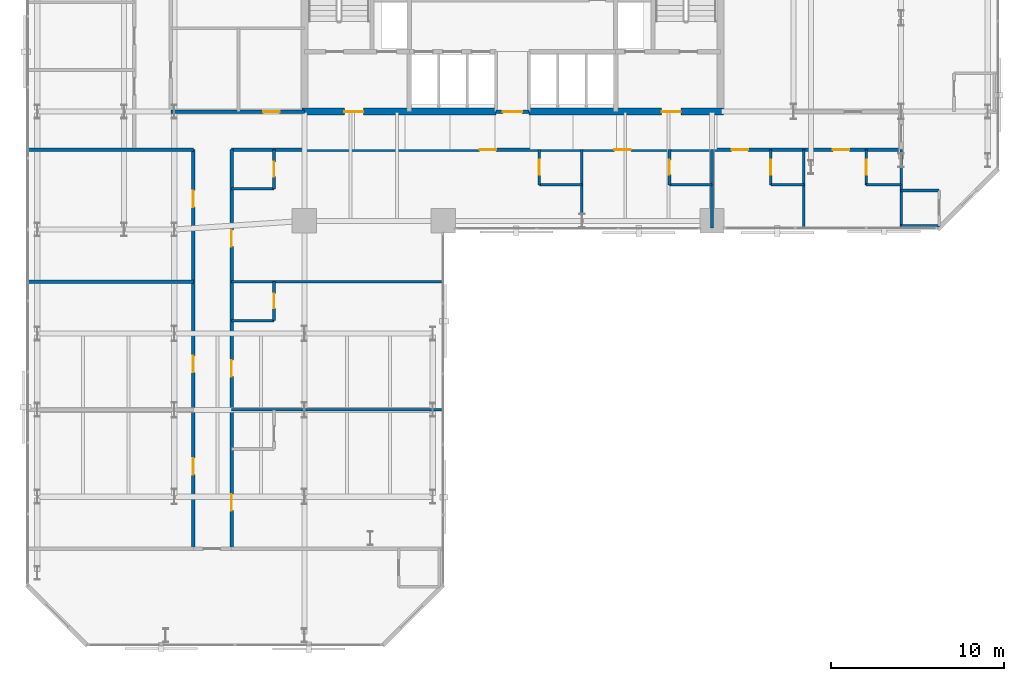
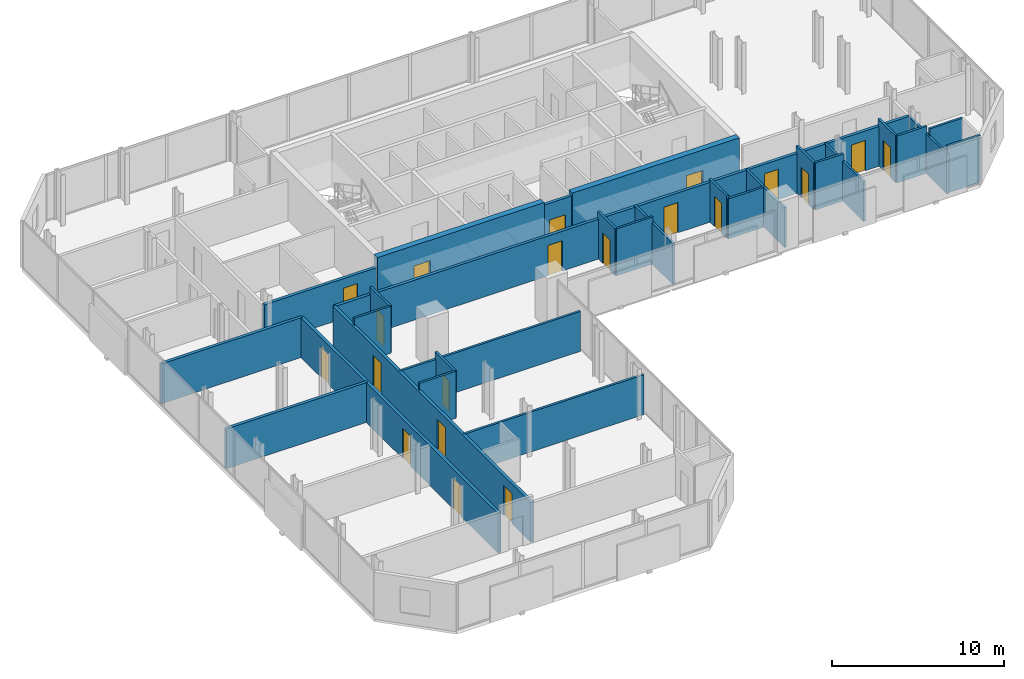
# One storey, part 28 of 32: 29 walls, 20 doors, 20 openings.
"""IFC4 building model written with IfcOpenShell, lengths in metres."""

from ifc_helpers import new_model, si_unit, direction, frame, frame_2d, origin, place, context, subcontext, project, spatial, rectangle, extrude, material, layer, layer_set, type_object, element, fill, save


model = new_model("IFC4")

# Units and contexts
model_context = context("Model", 3, precision=1e-05, world=origin(), true_north=direction((0.0, 1.0)))
body_context = subcontext(model_context, "Body", "Model", "MODEL_VIEW")
ifc_project = project(units=[si_unit("LENGTHUNIT", "METRE"), si_unit("AREAUNIT", "SQUARE_METRE"), si_unit("VOLUMEUNIT", "CUBIC_METRE"), si_unit("PLANEANGLEUNIT", "RADIAN"), si_unit("MASSUNIT", "GRAM", prefix="KILO")], contexts=[model_context])

# Site, building, storey
site_placement = place(None, origin())
site = spatial("IfcSite", under=ifc_project, at=site_placement, CompositionType="ELEMENT")
building_placement = place(site_placement, origin())
building = spatial("IfcBuilding", under=site, at=building_placement, Name="Catumbela Crestline Tower", CompositionType="ELEMENT")
storey_placement = place(building_placement, frame((0.0, 0.0, 65.4)))
storey = spatial("IfcBuildingStorey", under=building, at=storey_placement, Name="L16", CompositionType="ELEMENT", Elevation=65.4)

# Wall, opening, door
ifc_material_1 = material(Name="Concrete C60/75", Category="concrete")
ifc_layer_1 = layer(ifc_material_1, 0.4, Name="Concrete C60/75")
ifc_layer_set_1 = layer_set([ifc_layer_1], Name="Concrete C60/75")
wall_type_1 = type_object("IfcWallType", Name="CW-400A", PredefinedType="SHEAR", material=ifc_layer_set_1)
wall_1_placement = place(storey_placement, frame((15.85, 30.8, 0.0), z_axis=(0.0, 0.0, 1.0), x_axis=(1.0, 0.0, 0.0)))
wall_1 = element("IfcWall", 1, at=wall_1_placement, inside=storey, type_object=wall_type_1, Name="L16 Structural Core Shear Wall SW", PredefinedType="SHEAR", context=body_context, shape_type="SweptSolid", body=[
    extrude(rectangle(XDim=11.2, YDim=0.4, at=frame_2d((5.6, 0.0))), origin(), (0.0, 0.0, 1.0), 3.6),
])
opening_1_placement = place(wall_1_placement, frame((2.45, 0.0, 0.0)))
opening_1 = element("IfcOpeningElement", 2, at=opening_1_placement, cuts=wall_1, Name="Opening DF9-110", PredefinedType="OPENING", context=body_context, shape_type="SweptSolid", body=[
    extrude(rectangle(XDim=1.1, YDim=2.15, at=frame_2d((0.55, 1.075))), frame((0.0, 0.21, 0.0), z_axis=(0.0, -1.0, 0.0), x_axis=(1.0, 0.0, 0.0)), (0.0, 0.0, 1.0), 0.42),
])
ifc_material_2 = material(Name="Stainless steel EN 1.4401", Category="steel")
door_type_1 = type_object("IfcDoorType", Name="DF9-110", OperationType="NOTDEFINED", PredefinedType="DOOR", material=ifc_material_2)
door_1_placement = place(opening_1_placement, origin())
door_1 = element("IfcDoor", 3, at=door_1_placement, inside=storey, type_object=door_type_1, Name="L16 Interior Door DR-L16-FFW-S", OperationType="SINGLE_SWING_LEFT", OverallHeight=2.15, OverallWidth=1.1, PredefinedType="DOOR", context=body_context, shape_type="SweptSolid", body=[
    extrude(rectangle(XDim=1.1, YDim=2.15, at=frame_2d((0.55, 1.075))), frame((0.0, 0.025, 0.0), z_axis=(0.0, -1.0, 0.0), x_axis=(1.0, 0.0, 0.0)), (0.0, 0.0, 1.0), 0.05),
])
fill(opening_1, door_1)

wall_2_placement = place(storey_placement, frame((28.95, 30.8, 0.0), z_axis=(0.0, 0.0, 1.0), x_axis=(1.0, 0.0, 0.0)))
wall_2 = element("IfcWall", 4, at=wall_2_placement, inside=storey, type_object=wall_type_1, Name="L16 Structural Core Shear Wall SE", PredefinedType="SHEAR", context=body_context, shape_type="SweptSolid", body=[
    extrude(rectangle(XDim=11.2, YDim=0.4, at=frame_2d((5.6, 0.0))), origin(), (0.0, 0.0, 1.0), 3.6),
])
opening_2_placement = place(wall_2_placement, frame((7.65, 0.0, 0.0)))
opening_2 = element("IfcOpeningElement", 5, at=opening_2_placement, cuts=wall_2, Name="Opening DF9-110", PredefinedType="OPENING", context=body_context, shape_type="SweptSolid", body=[
    extrude(rectangle(XDim=1.1, YDim=2.15, at=frame_2d((0.55, 1.075))), frame((0.0, 0.21, 0.0), z_axis=(0.0, -1.0, 0.0), x_axis=(1.0, 0.0, 0.0)), (0.0, 0.0, 1.0), 0.42),
])
door_2_placement = place(opening_2_placement, origin())
door_2 = element("IfcDoor", 6, at=door_2_placement, inside=storey, type_object=door_type_1, Name="L16 Interior Door DR-L16-FFE-S", OperationType="SINGLE_SWING_RIGHT", OverallHeight=2.15, OverallWidth=1.1, PredefinedType="DOOR", context=body_context, shape_type="SweptSolid", body=[
    extrude(rectangle(XDim=1.1, YDim=2.15, at=frame_2d((0.55, 1.075))), frame((0.0, 0.025, 0.0), z_axis=(0.0, -1.0, 0.0), x_axis=(1.0, 0.0, 0.0)), (0.0, 0.0, 1.0), 0.05),
])
fill(opening_2, door_2)

ifc_material_3 = material(Name="Acoustic gypsum and mineral-wool partition")
ifc_layer_2 = layer(ifc_material_3, 0.2, Name="Acoustic gypsum and mineral-wool partition")
ifc_layer_set_2 = layer_set([ifc_layer_2], Name="Acoustic gypsum and mineral-wool partition")
wall_type_2 = type_object("IfcWallType", Name="WC-200", PredefinedType="PARTITIONING", material=ifc_layer_set_2)
wall_3_placement = place(storey_placement, frame((27.05, 30.8, 0.0), z_axis=(0.0, 0.0, 1.0), x_axis=(1.0, 0.0, 0.0)))
wall_3 = element("IfcWall", 7, at=wall_3_placement, inside=storey, type_object=wall_type_2, Name="L16 Interior Partition PW-L16-CLOBS", PredefinedType="PARTITIONING", context=body_context, shape_type="SweptSolid", body=[
    extrude(rectangle(XDim=1.9, YDim=0.2, at=frame_2d((0.95, 0.0))), origin(), (0.0, 0.0, 1.0), 3.33),
])
opening_3_placement = place(wall_3_placement, frame((0.4, 0.0, 0.0)))
opening_3 = element("IfcOpeningElement", 8, at=opening_3_placement, cuts=wall_3, Name="Opening DF9-110", PredefinedType="OPENING", context=body_context, shape_type="SweptSolid", body=[
    extrude(rectangle(XDim=1.1, YDim=2.15, at=frame_2d((0.55, 1.075))), frame((0.0, 0.11, 0.0), z_axis=(0.0, -1.0, 0.0), x_axis=(1.0, 0.0, 0.0)), (0.0, 0.0, 1.0), 0.22),
])
door_3_placement = place(opening_3_placement, origin())
door_3 = element("IfcDoor", 9, at=door_3_placement, inside=storey, type_object=door_type_1, Name="L16 Interior Door DR-L16-CLOBS", OperationType="SINGLE_SWING_LEFT", OverallHeight=2.15, OverallWidth=1.1, PredefinedType="DOOR", context=body_context, shape_type="SweptSolid", body=[
    extrude(rectangle(XDim=1.1, YDim=2.15, at=frame_2d((0.55, 1.075))), frame((0.0, 0.025, 0.0), z_axis=(0.0, -1.0, 0.0), x_axis=(1.0, 0.0, 0.0)), (0.0, 0.0, 1.0), 0.05),
])
fill(opening_3, door_3)

# Wall
wall_4_placement = place(storey_placement, frame((0.1, 28.6, 0.0), z_axis=(0.0, 0.0, 1.0), x_axis=(1.0, 0.0, 0.0)))
element("IfcWall", 10, at=wall_4_placement, inside=storey, type_object=wall_type_2, Name="L16 Interior Partition PW-L16-CWGL-N", PredefinedType="PARTITIONING", context=body_context, shape_type="SweptSolid", body=[
    extrude(rectangle(XDim=9.5, YDim=0.2, at=frame_2d((4.75, 0.0))), origin(), (0.0, 0.0, 1.0), 2.83),
])

# Wall, openings, doors
wall_5_placement = place(storey_placement, frame((11.8, 28.6, 0.0), z_axis=(0.0, 0.0, 1.0), x_axis=(1.0, 0.0, 0.0)))
wall_5 = element("IfcWall", 11, at=wall_5_placement, inside=storey, type_object=wall_type_2, Name="L16 Interior Partition PW-L16-CWGR-N", PredefinedType="PARTITIONING", context=body_context, shape_type="SweptSolid", body=[
    extrude(rectangle(XDim=38.6, YDim=0.2, at=frame_2d((19.3, 0.0))), origin(), (0.0, 0.0, 1.0), 2.83),
])
opening_4_placement = place(wall_5_placement, frame((14.3, 0.0, 0.0)))
opening_4 = element("IfcOpeningElement", 12, at=opening_4_placement, cuts=wall_5, Name="Opening DF6-095", PredefinedType="OPENING", context=body_context, shape_type="SweptSolid", body=[
    extrude(rectangle(XDim=0.95, YDim=2.15, at=frame_2d((0.475, 1.075))), frame((0.0, 0.11, 0.0), z_axis=(0.0, -1.0, 0.0), x_axis=(1.0, 0.0, 0.0)), (0.0, 0.0, 1.0), 0.22),
])
opening_5_placement = place(wall_5_placement, frame((22.075, 0.0, 0.0)))
opening_5 = element("IfcOpeningElement", 13, at=opening_5_placement, cuts=wall_5, Name="Opening DF6-095", PredefinedType="OPENING", context=body_context, shape_type="SweptSolid", body=[
    extrude(rectangle(XDim=0.95, YDim=2.15, at=frame_2d((0.475, 1.075))), frame((0.0, 0.11, 0.0), z_axis=(0.0, -1.0, 0.0), x_axis=(1.0, 0.0, 0.0)), (0.0, 0.0, 1.0), 0.22),
])
opening_6_placement = place(wall_5_placement, frame((28.8289, 0.0, 0.0)))
opening_6 = element("IfcOpeningElement", 14, at=opening_6_placement, cuts=wall_5, Name="Opening DF6-095", PredefinedType="OPENING", context=body_context, shape_type="SweptSolid", body=[
    extrude(rectangle(XDim=0.95, YDim=2.15, at=frame_2d((0.475, 1.075))), frame((0.0, 0.11, 0.0), z_axis=(0.0, -1.0, 0.0), x_axis=(1.0, 0.0, 0.0)), (0.0, 0.0, 1.0), 0.22),
])
opening_7_placement = place(wall_5_placement, frame((34.6691, 0.0, 0.0)))
opening_7 = element("IfcOpeningElement", 15, at=opening_7_placement, cuts=wall_5, Name="Opening DF6-095", PredefinedType="OPENING", context=body_context, shape_type="SweptSolid", body=[
    extrude(rectangle(XDim=0.95, YDim=2.15, at=frame_2d((0.475, 1.075))), frame((0.0, 0.11, 0.0), z_axis=(0.0, -1.0, 0.0), x_axis=(1.0, 0.0, 0.0)), (0.0, 0.0, 1.0), 0.22),
])
ifc_material_4 = material(Name="Aluminium alloy AW-6060-T66", Category="aluminium")
door_type_2 = type_object("IfcDoorType", Name="DF6-095", OperationType="NOTDEFINED", PredefinedType="DOOR", material=ifc_material_4)
door_4_placement = place(opening_4_placement, origin())
door_4 = element("IfcDoor", 16, at=door_4_placement, inside=storey, type_object=door_type_2, Name="L16 Interior Door DR-L16-K1-ENT", OperationType="SINGLE_SWING_LEFT", OverallHeight=2.15, OverallWidth=0.95, PredefinedType="DOOR", context=body_context, shape_type="SweptSolid", body=[
    extrude(rectangle(XDim=0.95, YDim=2.15, at=frame_2d((0.475, 1.075))), frame((0.0, 0.025, 0.0), z_axis=(0.0, -1.0, 0.0), x_axis=(1.0, 0.0, 0.0)), (0.0, 0.0, 1.0), 0.05),
])
fill(opening_4, door_4)
door_5_placement = place(opening_5_placement, origin())
door_5 = element("IfcDoor", 17, at=door_5_placement, inside=storey, type_object=door_type_2, Name="L16 Interior Door DR-L16-K2-ENT", OperationType="SINGLE_SWING_RIGHT", OverallHeight=2.15, OverallWidth=0.95, PredefinedType="DOOR", context=body_context, shape_type="SweptSolid", body=[
    extrude(rectangle(XDim=0.95, YDim=2.15, at=frame_2d((0.475, 1.075))), frame((0.0, 0.025, 0.0), z_axis=(0.0, -1.0, 0.0), x_axis=(1.0, 0.0, 0.0)), (0.0, 0.0, 1.0), 0.05),
])
fill(opening_5, door_5)
door_6_placement = place(opening_6_placement, origin())
door_6 = element("IfcDoor", 18, at=door_6_placement, inside=storey, type_object=door_type_2, Name="L16 Interior Door DR-L16-K3-ENT", OperationType="SINGLE_SWING_LEFT", OverallHeight=2.15, OverallWidth=0.95, PredefinedType="DOOR", context=body_context, shape_type="SweptSolid", body=[
    extrude(rectangle(XDim=0.95, YDim=2.15, at=frame_2d((0.475, 1.075))), frame((0.0, 0.025, 0.0), z_axis=(0.0, -1.0, 0.0), x_axis=(1.0, 0.0, 0.0)), (0.0, 0.0, 1.0), 0.05),
])
fill(opening_6, door_6)
door_7_placement = place(opening_7_placement, origin())
door_7 = element("IfcDoor", 19, at=door_7_placement, inside=storey, type_object=door_type_2, Name="L16 Interior Door DR-L16-K4-ENT", OperationType="SINGLE_SWING_RIGHT", OverallHeight=2.15, OverallWidth=0.95, PredefinedType="DOOR", context=body_context, shape_type="SweptSolid", body=[
    extrude(rectangle(XDim=0.95, YDim=2.15, at=frame_2d((0.475, 1.075))), frame((0.0, 0.025, 0.0), z_axis=(0.0, -1.0, 0.0), x_axis=(1.0, 0.0, 0.0)), (0.0, 0.0, 1.0), 0.05),
])
fill(opening_7, door_7)

# Wall, opening, door
wall_6_placement = place(storey_placement, frame((8.3, 30.8, 0.0), z_axis=(0.0, 0.0, 1.0), x_axis=(1.0, 0.0, 0.0)))
wall_6 = element("IfcWall", 20, at=wall_6_placement, inside=storey, type_object=wall_type_2, Name="L16 Interior Partition PW-L16-HK-S", PredefinedType="PARTITIONING", context=body_context, shape_type="SweptSolid", body=[
    extrude(rectangle(XDim=7.7, YDim=0.2, at=frame_2d((3.85, 0.0))), origin(), (0.0, 0.0, 1.0), 2.83),
])
opening_8_placement = place(wall_6_placement, frame((5.325, 0.0, 0.0)))
opening_8 = element("IfcOpeningElement", 21, at=opening_8_placement, cuts=wall_6, Name="Opening DF6-095", PredefinedType="OPENING", context=body_context, shape_type="SweptSolid", body=[
    extrude(rectangle(XDim=0.95, YDim=2.15, at=frame_2d((0.475, 1.075))), frame((0.0, 0.11, 0.0), z_axis=(0.0, -1.0, 0.0), x_axis=(1.0, 0.0, 0.0)), (0.0, 0.0, 1.0), 0.22),
])
door_8_placement = place(opening_8_placement, origin())
door_8 = element("IfcDoor", 22, at=door_8_placement, inside=storey, type_object=door_type_2, Name="L16 Interior Door DR-L16-HKP", OperationType="SINGLE_SWING_LEFT", OverallHeight=2.15, OverallWidth=0.95, PredefinedType="DOOR", context=body_context, shape_type="SweptSolid", body=[
    extrude(rectangle(XDim=0.95, YDim=2.15, at=frame_2d((0.475, 1.075))), frame((0.0, 0.025, 0.0), z_axis=(0.0, -1.0, 0.0), x_axis=(1.0, 0.0, 0.0)), (0.0, 0.0, 1.0), 0.05),
])
fill(opening_8, door_8)

# Wall, openings, doors
wall_7_placement = place(storey_placement, frame((9.6, 5.6, 0.0), z_axis=(0.0, 0.0, 1.0), x_axis=(0.0, 1.0, 0.0)))
wall_7 = element("IfcWall", 23, at=wall_7_placement, inside=storey, type_object=wall_type_2, Name="L16 Interior Partition PW-L16-WL1-ENT", PredefinedType="PARTITIONING", context=body_context, shape_type="SweptSolid", body=[
    extrude(rectangle(XDim=23.0, YDim=0.2, at=frame_2d((11.5, 0.0))), origin(), (0.0, 0.0, 1.0), 2.83),
])
opening_9_placement = place(wall_7_placement, frame((4.2703, 0.0, 0.0)))
opening_9 = element("IfcOpeningElement", 24, at=opening_9_placement, cuts=wall_7, Name="Opening DF6-095", PredefinedType="OPENING", context=body_context, shape_type="SweptSolid", body=[
    extrude(rectangle(XDim=0.95, YDim=2.15, at=frame_2d((0.475, 1.075))), frame((0.0, 0.11, 0.0), z_axis=(0.0, -1.0, 0.0), x_axis=(1.0, 0.0, 0.0)), (0.0, 0.0, 1.0), 0.22),
])
opening_10_placement = place(wall_7_placement, frame((10.1698, 0.0, 0.0)))
opening_10 = element("IfcOpeningElement", 25, at=opening_10_placement, cuts=wall_7, Name="Opening DF6-095", PredefinedType="OPENING", context=body_context, shape_type="SweptSolid", body=[
    extrude(rectangle(XDim=0.95, YDim=2.15, at=frame_2d((0.475, 1.075))), frame((0.0, 0.11, 0.0), z_axis=(0.0, -1.0, 0.0), x_axis=(1.0, 0.0, 0.0)), (0.0, 0.0, 1.0), 0.22),
])
opening_11_placement = place(wall_7_placement, frame((19.6931, 0.0, 0.0)))
opening_11 = element("IfcOpeningElement", 26, at=opening_11_placement, cuts=wall_7, Name="Opening DF6-095", PredefinedType="OPENING", context=body_context, shape_type="SweptSolid", body=[
    extrude(rectangle(XDim=0.95, YDim=2.15, at=frame_2d((0.475, 1.075))), frame((0.0, 0.11, 0.0), z_axis=(0.0, -1.0, 0.0), x_axis=(1.0, 0.0, 0.0)), (0.0, 0.0, 1.0), 0.22),
])
door_9_placement = place(opening_9_placement, origin())
door_9 = element("IfcDoor", 27, at=door_9_placement, inside=storey, type_object=door_type_2, Name="L16 Interior Door DR-L16-WL1-ENT", OperationType="SINGLE_SWING_RIGHT", OverallHeight=2.15, OverallWidth=0.95, PredefinedType="DOOR", context=body_context, shape_type="SweptSolid", body=[
    extrude(rectangle(XDim=0.95, YDim=2.15, at=frame_2d((0.475, 1.075))), frame((0.0, 0.025, 0.0), z_axis=(0.0, -1.0, 0.0), x_axis=(1.0, 0.0, 0.0)), (0.0, 0.0, 1.0), 0.05),
])
fill(opening_9, door_9)
door_10_placement = place(opening_10_placement, origin())
door_10 = element("IfcDoor", 28, at=door_10_placement, inside=storey, type_object=door_type_2, Name="L16 Interior Door DR-L16-WL2-ENT", OperationType="SINGLE_SWING_LEFT", OverallHeight=2.15, OverallWidth=0.95, PredefinedType="DOOR", context=body_context, shape_type="SweptSolid", body=[
    extrude(rectangle(XDim=0.95, YDim=2.15, at=frame_2d((0.475, 1.075))), frame((0.0, 0.025, 0.0), z_axis=(0.0, -1.0, 0.0), x_axis=(1.0, 0.0, 0.0)), (0.0, 0.0, 1.0), 0.05),
])
fill(opening_10, door_10)
door_11_placement = place(opening_11_placement, origin())
door_11 = element("IfcDoor", 29, at=door_11_placement, inside=storey, type_object=door_type_2, Name="L16 Interior Door DR-L16-WL3-ENT", OperationType="SINGLE_SWING_RIGHT", OverallHeight=2.15, OverallWidth=0.95, PredefinedType="DOOR", context=body_context, shape_type="SweptSolid", body=[
    extrude(rectangle(XDim=0.95, YDim=2.15, at=frame_2d((0.475, 1.075))), frame((0.0, 0.025, 0.0), z_axis=(0.0, -1.0, 0.0), x_axis=(1.0, 0.0, 0.0)), (0.0, 0.0, 1.0), 0.05),
])
fill(opening_11, door_11)

wall_8_placement = place(storey_placement, frame((11.8, 5.6, 0.0), z_axis=(0.0, 0.0, 1.0), x_axis=(0.0, 1.0, 0.0)))
wall_8 = element("IfcWall", 30, at=wall_8_placement, inside=storey, type_object=wall_type_2, Name="L16 Interior Partition PW-L16-WR1-ENT", PredefinedType="PARTITIONING", context=body_context, shape_type="SweptSolid", body=[
    extrude(rectangle(XDim=23.0, YDim=0.2, at=frame_2d((11.5, 0.0))), origin(), (0.0, 0.0, 1.0), 2.83),
])
opening_12_placement = place(wall_8_placement, frame((2.19, 0.0, 0.0)))
opening_12 = element("IfcOpeningElement", 31, at=opening_12_placement, cuts=wall_8, Name="Opening DF6-095", PredefinedType="OPENING", context=body_context, shape_type="SweptSolid", body=[
    extrude(rectangle(XDim=0.95, YDim=2.15, at=frame_2d((0.475, 1.075))), frame((0.0, 0.11, 0.0), z_axis=(0.0, -1.0, 0.0), x_axis=(1.0, 0.0, 0.0)), (0.0, 0.0, 1.0), 0.22),
])
opening_13_placement = place(wall_8_placement, frame((9.92, 0.0, 0.0)))
opening_13 = element("IfcOpeningElement", 32, at=opening_13_placement, cuts=wall_8, Name="Opening DF6-095", PredefinedType="OPENING", context=body_context, shape_type="SweptSolid", body=[
    extrude(rectangle(XDim=0.95, YDim=2.15, at=frame_2d((0.475, 1.075))), frame((0.0, 0.11, 0.0), z_axis=(0.0, -1.0, 0.0), x_axis=(1.0, 0.0, 0.0)), (0.0, 0.0, 1.0), 0.22),
])
opening_14_placement = place(wall_8_placement, frame((17.41, 0.0, 0.0)))
opening_14 = element("IfcOpeningElement", 33, at=opening_14_placement, cuts=wall_8, Name="Opening DF6-095", PredefinedType="OPENING", context=body_context, shape_type="SweptSolid", body=[
    extrude(rectangle(XDim=0.95, YDim=2.15, at=frame_2d((0.475, 1.075))), frame((0.0, 0.11, 0.0), z_axis=(0.0, -1.0, 0.0), x_axis=(1.0, 0.0, 0.0)), (0.0, 0.0, 1.0), 0.22),
])
door_12_placement = place(opening_12_placement, origin())
door_12 = element("IfcDoor", 34, at=door_12_placement, inside=storey, type_object=door_type_2, Name="L16 Interior Door DR-L16-WR1-ENT", OperationType="SINGLE_SWING_LEFT", OverallHeight=2.15, OverallWidth=0.95, PredefinedType="DOOR", context=body_context, shape_type="SweptSolid", body=[
    extrude(rectangle(XDim=0.95, YDim=2.15, at=frame_2d((0.475, 1.075))), frame((0.0, 0.025, 0.0), z_axis=(0.0, -1.0, 0.0), x_axis=(1.0, 0.0, 0.0)), (0.0, 0.0, 1.0), 0.05),
])
fill(opening_12, door_12)
door_13_placement = place(opening_13_placement, origin())
door_13 = element("IfcDoor", 35, at=door_13_placement, inside=storey, type_object=door_type_2, Name="L16 Interior Door DR-L16-WR2-ENT", OperationType="SINGLE_SWING_RIGHT", OverallHeight=2.15, OverallWidth=0.95, PredefinedType="DOOR", context=body_context, shape_type="SweptSolid", body=[
    extrude(rectangle(XDim=0.95, YDim=2.15, at=frame_2d((0.475, 1.075))), frame((0.0, 0.025, 0.0), z_axis=(0.0, -1.0, 0.0), x_axis=(1.0, 0.0, 0.0)), (0.0, 0.0, 1.0), 0.05),
])
fill(opening_13, door_13)
door_14_placement = place(opening_14_placement, origin())
door_14 = element("IfcDoor", 36, at=door_14_placement, inside=storey, type_object=door_type_2, Name="L16 Interior Door DR-L16-WR3-ENT", OperationType="SINGLE_SWING_LEFT", OverallHeight=2.15, OverallWidth=0.95, PredefinedType="DOOR", context=body_context, shape_type="SweptSolid", body=[
    extrude(rectangle(XDim=0.95, YDim=2.15, at=frame_2d((0.475, 1.075))), frame((0.0, 0.025, 0.0), z_axis=(0.0, -1.0, 0.0), x_axis=(1.0, 0.0, 0.0)), (0.0, 0.0, 1.0), 0.05),
])
fill(opening_14, door_14)

# Wall
ifc_layer_3 = layer(ifc_material_3, 0.15, Name="Acoustic gypsum and mineral-wool partition")
ifc_layer_set_3 = layer_set([ifc_layer_3], Name="Acoustic gypsum and mineral-wool partition")
wall_type_3 = type_object("IfcWallType", Name="WP-150", PredefinedType="PARTITIONING", material=ifc_layer_set_3)
wall_9_placement = place(storey_placement, frame((29.55, 26.576, 0.0), z_axis=(0.0, 0.0, 1.0), x_axis=(1.0, 0.0, 0.0)))
element("IfcWall", 37, at=wall_9_placement, inside=storey, type_object=wall_type_3, Name="L16 Interior Partition PW-L16-K1-BHW", PredefinedType="PARTITIONING", context=body_context, shape_type="SweptSolid", body=[
    extrude(rectangle(XDim=2.45, YDim=0.15, at=frame_2d((1.225, 0.0))), origin(), (0.0, 0.0, 1.0), 3.33),
])

# Wall, opening, door
wall_10_placement = place(storey_placement, frame((29.55, 26.576, 0.0), z_axis=(0.0, 0.0, 1.0), x_axis=(0.0, 1.0, 0.0)))
wall_10 = element("IfcWall", 38, at=wall_10_placement, inside=storey, type_object=wall_type_3, Name="L16 Interior Partition PW-L16-K1-BWW", PredefinedType="PARTITIONING", context=body_context, shape_type="SweptSolid", body=[
    extrude(rectangle(XDim=2.024, YDim=0.15, at=frame_2d((1.012, 0.0))), origin(), (0.0, 0.0, 1.0), 3.33),
])
opening_15_placement = place(wall_10_placement, frame((0.587, 0.0, 0.0)))
opening_15 = element("IfcOpeningElement", 39, at=opening_15_placement, cuts=wall_10, Name="Opening DI-085", PredefinedType="OPENING", context=body_context, shape_type="SweptSolid", body=[
    extrude(rectangle(XDim=0.85, YDim=2.15, at=frame_2d((0.425, 1.075))), frame((0.0, 0.085, 0.0), z_axis=(0.0, -1.0, 0.0), x_axis=(1.0, 0.0, 0.0)), (0.0, 0.0, 1.0), 0.17),
])
door_type_3 = type_object("IfcDoorType", Name="DI-085", OperationType="NOTDEFINED", PredefinedType="DOOR", material=ifc_material_4)
door_15_placement = place(opening_15_placement, origin())
door_15 = element("IfcDoor", 40, at=door_15_placement, inside=storey, type_object=door_type_3, Name="L16 Interior Door DR-L16-K1-BTH", OperationType="SINGLE_SWING_RIGHT", OverallHeight=2.15, OverallWidth=0.85, PredefinedType="DOOR", context=body_context, shape_type="SweptSolid", body=[
    extrude(rectangle(XDim=0.85, YDim=2.15, at=frame_2d((0.425, 1.075))), frame((0.0, 0.025, 0.0), z_axis=(0.0, -1.0, 0.0), x_axis=(1.0, 0.0, 0.0)), (0.0, 0.0, 1.0), 0.05),
])
fill(opening_15, door_15)

# Walls
wall_11_placement = place(storey_placement, frame((32.0, 28.6, 0.0), z_axis=(0.0, 0.0, 1.0), x_axis=(0.0, -1.0, 0.0)))
element("IfcWall", 41, at=wall_11_placement, inside=storey, type_object=wall_type_3, Name="L16 Interior Partition PW-L16-K1-BCL-2", PredefinedType="PARTITIONING", context=body_context, shape_type="SweptSolid", body=[
    extrude(rectangle(XDim=4.5, YDim=0.15, at=frame_2d((2.25, 0.0))), origin(), (0.0, 0.0, 1.0), 2.92),
])
wall_12_placement = place(storey_placement, frame((37.05, 26.576, 0.0), z_axis=(0.0, 0.0, 1.0), x_axis=(1.0, 0.0, 0.0)))
element("IfcWall", 42, at=wall_12_placement, inside=storey, type_object=wall_type_3, Name="L16 Interior Partition PW-L16-K2-BHW", PredefinedType="PARTITIONING", context=body_context, shape_type="SweptSolid", body=[
    extrude(rectangle(XDim=2.45, YDim=0.15, at=frame_2d((1.225, 0.0))), origin(), (0.0, 0.0, 1.0), 2.83),
])

# Wall, opening, door
wall_13_placement = place(storey_placement, frame((37.05, 26.576, 0.0), z_axis=(0.0, 0.0, 1.0), x_axis=(0.0, 1.0, 0.0)))
wall_13 = element("IfcWall", 43, at=wall_13_placement, inside=storey, type_object=wall_type_3, Name="L16 Interior Partition PW-L16-K2-BWW", PredefinedType="PARTITIONING", context=body_context, shape_type="SweptSolid", body=[
    extrude(rectangle(XDim=2.024, YDim=0.15, at=frame_2d((1.012, 0.0))), origin(), (0.0, 0.0, 1.0), 3.02),
])
opening_16_placement = place(wall_13_placement, frame((0.587, 0.0, 0.0)))
opening_16 = element("IfcOpeningElement", 44, at=opening_16_placement, cuts=wall_13, Name="Opening DI-085", PredefinedType="OPENING", context=body_context, shape_type="SweptSolid", body=[
    extrude(rectangle(XDim=0.85, YDim=2.15, at=frame_2d((0.425, 1.075))), frame((0.0, 0.085, 0.0), z_axis=(0.0, -1.0, 0.0), x_axis=(1.0, 0.0, 0.0)), (0.0, 0.0, 1.0), 0.17),
])
door_16_placement = place(opening_16_placement, origin())
door_16 = element("IfcDoor", 45, at=door_16_placement, inside=storey, type_object=door_type_3, Name="L16 Interior Door DR-L16-K2-BTH", OperationType="SINGLE_SWING_RIGHT", OverallHeight=2.15, OverallWidth=0.85, PredefinedType="DOOR", context=body_context, shape_type="SweptSolid", body=[
    extrude(rectangle(XDim=0.85, YDim=2.15, at=frame_2d((0.425, 1.075))), frame((0.0, 0.025, 0.0), z_axis=(0.0, -1.0, 0.0), x_axis=(1.0, 0.0, 0.0)), (0.0, 0.0, 1.0), 0.05),
])
fill(opening_16, door_16)

# Walls
wall_14_placement = place(storey_placement, frame((39.5, 28.6, 0.0), z_axis=(0.0, 0.0, 1.0), x_axis=(0.0, -1.0, 0.0)))
element("IfcWall", 46, at=wall_14_placement, inside=storey, type_object=wall_type_3, Name="L16 Interior Partition PW-L16-K2-BCL-2", PredefinedType="PARTITIONING", context=body_context, shape_type="SweptSolid", body=[
    extrude(rectangle(XDim=4.5, YDim=0.15, at=frame_2d((2.25, 0.0))), origin(), (0.0, 0.0, 1.0), 2.83),
])
wall_15_placement = place(storey_placement, frame((42.892, 26.576, 0.0), z_axis=(0.0, 0.0, 1.0), x_axis=(1.0, 0.0, 0.0)))
element("IfcWall", 47, at=wall_15_placement, inside=storey, type_object=wall_type_3, Name="L16 Interior Partition PW-L16-K3-BHW", PredefinedType="PARTITIONING", context=body_context, shape_type="SweptSolid", body=[
    extrude(rectangle(XDim=1.908, YDim=0.15, at=frame_2d((0.954, 0.0))), origin(), (0.0, 0.0, 1.0), 3.33),
])

# Wall, opening, door
wall_16_placement = place(storey_placement, frame((42.892, 26.576, 0.0), z_axis=(0.0, 0.0, 1.0), x_axis=(0.0, 1.0, 0.0)))
wall_16 = element("IfcWall", 48, at=wall_16_placement, inside=storey, type_object=wall_type_3, Name="L16 Interior Partition PW-L16-K3-BWW", PredefinedType="PARTITIONING", context=body_context, shape_type="SweptSolid", body=[
    extrude(rectangle(XDim=2.024, YDim=0.15, at=frame_2d((1.012, 0.0))), origin(), (0.0, 0.0, 1.0), 3.33),
])
opening_17_placement = place(wall_16_placement, frame((0.587, 0.0, 0.0)))
opening_17 = element("IfcOpeningElement", 49, at=opening_17_placement, cuts=wall_16, Name="Opening DI-085", PredefinedType="OPENING", context=body_context, shape_type="SweptSolid", body=[
    extrude(rectangle(XDim=0.85, YDim=2.15, at=frame_2d((0.425, 1.075))), frame((0.0, 0.085, 0.0), z_axis=(0.0, -1.0, 0.0), x_axis=(1.0, 0.0, 0.0)), (0.0, 0.0, 1.0), 0.17),
])
door_17_placement = place(opening_17_placement, origin())
door_17 = element("IfcDoor", 50, at=door_17_placement, inside=storey, type_object=door_type_3, Name="L16 Interior Door DR-L16-K3-BTH", OperationType="SINGLE_SWING_RIGHT", OverallHeight=2.15, OverallWidth=0.85, PredefinedType="DOOR", context=body_context, shape_type="SweptSolid", body=[
    extrude(rectangle(XDim=0.85, YDim=2.15, at=frame_2d((0.425, 1.075))), frame((0.0, 0.025, 0.0), z_axis=(0.0, -1.0, 0.0), x_axis=(1.0, 0.0, 0.0)), (0.0, 0.0, 1.0), 0.05),
])
fill(opening_17, door_17)

# Walls
wall_17_placement = place(storey_placement, frame((44.8, 28.6, 0.0), z_axis=(0.0, 0.0, 1.0), x_axis=(0.0, -1.0, 0.0)))
element("IfcWall", 51, at=wall_17_placement, inside=storey, type_object=wall_type_3, Name="L16 Interior Partition PW-L16-K3-BCL-2", PredefinedType="PARTITIONING", context=body_context, shape_type="SweptSolid", body=[
    extrude(rectangle(XDim=4.5, YDim=0.15, at=frame_2d((2.25, 0.0))), origin(), (0.0, 0.0, 1.0), 2.83),
])
wall_18_placement = place(storey_placement, frame((48.384, 26.576, 0.0), z_axis=(0.0, 0.0, 1.0), x_axis=(1.0, 0.0, 0.0)))
element("IfcWall", 52, at=wall_18_placement, inside=storey, type_object=wall_type_3, Name="L16 Interior Partition PW-L16-K4-BHW", PredefinedType="PARTITIONING", context=body_context, shape_type="SweptSolid", body=[
    extrude(rectangle(XDim=2.016, YDim=0.15, at=frame_2d((1.008, 0.0))), origin(), (0.0, 0.0, 1.0), 3.33),
])

# Wall, opening, door
wall_19_placement = place(storey_placement, frame((48.384, 26.576, 0.0), z_axis=(0.0, 0.0, 1.0), x_axis=(0.0, 1.0, 0.0)))
wall_19 = element("IfcWall", 53, at=wall_19_placement, inside=storey, type_object=wall_type_3, Name="L16 Interior Partition PW-L16-K4-BWW", PredefinedType="PARTITIONING", context=body_context, shape_type="SweptSolid", body=[
    extrude(rectangle(XDim=2.024, YDim=0.15, at=frame_2d((1.012, 0.0))), origin(), (0.0, 0.0, 1.0), 3.33),
])
opening_18_placement = place(wall_19_placement, frame((0.587, 0.0, 0.0)))
opening_18 = element("IfcOpeningElement", 54, at=opening_18_placement, cuts=wall_19, Name="Opening DI-085", PredefinedType="OPENING", context=body_context, shape_type="SweptSolid", body=[
    extrude(rectangle(XDim=0.85, YDim=2.15, at=frame_2d((0.425, 1.075))), frame((0.0, 0.085, 0.0), z_axis=(0.0, -1.0, 0.0), x_axis=(1.0, 0.0, 0.0)), (0.0, 0.0, 1.0), 0.17),
])
door_18_placement = place(opening_18_placement, origin())
door_18 = element("IfcDoor", 55, at=door_18_placement, inside=storey, type_object=door_type_3, Name="L16 Interior Door DR-L16-K4-BTH", OperationType="SINGLE_SWING_RIGHT", OverallHeight=2.15, OverallWidth=0.85, PredefinedType="DOOR", context=body_context, shape_type="SweptSolid", body=[
    extrude(rectangle(XDim=0.85, YDim=2.15, at=frame_2d((0.425, 1.075))), frame((0.0, 0.025, 0.0), z_axis=(0.0, -1.0, 0.0), x_axis=(1.0, 0.0, 0.0)), (0.0, 0.0, 1.0), 0.05),
])
fill(opening_18, door_18)

# Walls
wall_20_placement = place(storey_placement, frame((50.4, 28.6, 0.0), z_axis=(0.0, 0.0, 1.0), x_axis=(0.0, -1.0, 0.0)))
element("IfcWall", 56, at=wall_20_placement, inside=storey, type_object=wall_type_3, Name="L16 Interior Partition PW-L16-K4-BCL-2", PredefinedType="PARTITIONING", context=body_context, shape_type="SweptSolid", body=[
    extrude(rectangle(XDim=4.5, YDim=0.15, at=frame_2d((2.25, 0.0))), origin(), (0.0, 0.0, 1.0), 2.83),
])
wall_21_placement = place(storey_placement, frame((50.4, 26.25, 0.0), z_axis=(0.0, 0.0, 1.0), x_axis=(1.0, 0.0, 0.0)))
element("IfcWall", 57, at=wall_21_placement, inside=storey, type_object=wall_type_3, Name="L16 Interior Partition PW-L16-NESE-BNW", PredefinedType="PARTITIONING", context=body_context, shape_type="SweptSolid", body=[
    extrude(rectangle(XDim=2.2, YDim=0.15, at=frame_2d((1.1, 0.0))), origin(), (0.0, 0.0, 1.0), 3.33),
])
wall_22_placement = place(storey_placement, frame((52.62, 24.22, 0.0), z_axis=(0.0, 0.0, 1.0), x_axis=(-1.0, 0.0, 0.0)))
element("IfcWall", 58, at=wall_22_placement, inside=storey, type_object=wall_type_3, Name="L16 Interior Partition PW-L16-NESE-BCL-3", PredefinedType="PARTITIONING", context=body_context, shape_type="SweptSolid", body=[
    extrude(rectangle(XDim=2.22, YDim=0.15, at=frame_2d((1.11, 0.0))), origin(), (0.0, 0.0, 1.0), 3.33),
])
wall_23_placement = place(storey_placement, frame((11.8, 13.6, 0.0), z_axis=(0.0, 0.0, 1.0), x_axis=(1.0, 0.0, 0.0)))
element("IfcWall", 59, at=wall_23_placement, inside=storey, type_object=wall_type_3, Name="L16 Interior Partition PW-L16-WR1-BCL-1", PredefinedType="PARTITIONING", context=body_context, shape_type="SweptSolid", body=[
    extrude(rectangle(XDim=12.1, YDim=0.15, at=frame_2d((6.05, 0.0))), origin(), (0.0, 0.0, 1.0), 2.83),
])
wall_24_placement = place(storey_placement, frame((11.8, 18.75, 0.0), z_axis=(0.0, 0.0, 1.0), x_axis=(1.0, 0.0, 0.0)))
element("IfcWall", 60, at=wall_24_placement, inside=storey, type_object=wall_type_3, Name="L16 Interior Partition PW-L16-WR2-BSW", PredefinedType="PARTITIONING", context=body_context, shape_type="SweptSolid", body=[
    extrude(rectangle(XDim=2.45, YDim=0.15, at=frame_2d((1.225, 0.0))), origin(), (0.0, 0.0, 1.0), 3.33),
])

# Wall, opening, door
wall_25_placement = place(storey_placement, frame((14.25, 18.75, 0.0), z_axis=(0.0, 0.0, 1.0), x_axis=(0.0, 1.0, 0.0)))
wall_25 = element("IfcWall", 61, at=wall_25_placement, inside=storey, type_object=wall_type_3, Name="L16 Interior Partition PW-L16-WR2-BEW", PredefinedType="PARTITIONING", context=body_context, shape_type="SweptSolid", body=[
    extrude(rectangle(XDim=2.25, YDim=0.15, at=frame_2d((1.125, 0.0))), origin(), (0.0, 0.0, 1.0), 3.33),
])
opening_19_placement = place(wall_25_placement, frame((0.7, 0.0, 0.0)))
opening_19 = element("IfcOpeningElement", 62, at=opening_19_placement, cuts=wall_25, Name="Opening DI-085", PredefinedType="OPENING", context=body_context, shape_type="SweptSolid", body=[
    extrude(rectangle(XDim=0.85, YDim=2.15, at=frame_2d((0.425, 1.075))), frame((0.0, 0.085, 0.0), z_axis=(0.0, -1.0, 0.0), x_axis=(1.0, 0.0, 0.0)), (0.0, 0.0, 1.0), 0.17),
])
door_19_placement = place(opening_19_placement, origin())
door_19 = element("IfcDoor", 63, at=door_19_placement, inside=storey, type_object=door_type_3, Name="L16 Interior Door DR-L16-WR2-BTH", OperationType="SINGLE_SWING_LEFT", OverallHeight=2.15, OverallWidth=0.85, PredefinedType="DOOR", context=body_context, shape_type="SweptSolid", body=[
    extrude(rectangle(XDim=0.85, YDim=2.15, at=frame_2d((0.425, 1.075))), frame((0.0, 0.025, 0.0), z_axis=(0.0, -1.0, 0.0), x_axis=(1.0, 0.0, 0.0)), (0.0, 0.0, 1.0), 0.05),
])
fill(opening_19, door_19)

# Walls
wall_26_placement = place(storey_placement, frame((11.8, 21.0, 0.0), z_axis=(0.0, 0.0, 1.0), x_axis=(1.0, 0.0, 0.0)))
element("IfcWall", 64, at=wall_26_placement, inside=storey, type_object=wall_type_3, Name="L16 Interior Partition PW-L16-WR2-BCL-1", PredefinedType="PARTITIONING", context=body_context, shape_type="SweptSolid", body=[
    extrude(rectangle(XDim=12.1, YDim=0.15, at=frame_2d((6.05, 0.0))), origin(), (0.0, 0.0, 1.0), 2.83),
])
wall_27_placement = place(storey_placement, frame((11.8, 26.35, 0.0), z_axis=(0.0, 0.0, 1.0), x_axis=(1.0, 0.0, 0.0)))
element("IfcWall", 65, at=wall_27_placement, inside=storey, type_object=wall_type_3, Name="L16 Interior Partition PW-L16-WR3-BSW", PredefinedType="PARTITIONING", context=body_context, shape_type="SweptSolid", body=[
    extrude(rectangle(XDim=2.45, YDim=0.15, at=frame_2d((1.225, 0.0))), origin(), (0.0, 0.0, 1.0), 3.33),
])

# Wall, opening, door
wall_28_placement = place(storey_placement, frame((14.25, 26.35, 0.0), z_axis=(0.0, 0.0, 1.0), x_axis=(0.0, 1.0, 0.0)))
wall_28 = element("IfcWall", 66, at=wall_28_placement, inside=storey, type_object=wall_type_3, Name="L16 Interior Partition PW-L16-WR3-BEW", PredefinedType="PARTITIONING", context=body_context, shape_type="SweptSolid", body=[
    extrude(rectangle(XDim=2.25, YDim=0.15, at=frame_2d((1.125, 0.0))), origin(), (0.0, 0.0, 1.0), 3.33),
])
opening_20_placement = place(wall_28_placement, frame((0.7, 0.0, 0.0)))
opening_20 = element("IfcOpeningElement", 67, at=opening_20_placement, cuts=wall_28, Name="Opening DI-085", PredefinedType="OPENING", context=body_context, shape_type="SweptSolid", body=[
    extrude(rectangle(XDim=0.85, YDim=2.15, at=frame_2d((0.425, 1.075))), frame((0.0, 0.085, 0.0), z_axis=(0.0, -1.0, 0.0), x_axis=(1.0, 0.0, 0.0)), (0.0, 0.0, 1.0), 0.17),
])
door_20_placement = place(opening_20_placement, origin())
door_20 = element("IfcDoor", 68, at=door_20_placement, inside=storey, type_object=door_type_3, Name="L16 Interior Door DR-L16-WR3-BTH", OperationType="SINGLE_SWING_LEFT", OverallHeight=2.15, OverallWidth=0.85, PredefinedType="DOOR", context=body_context, shape_type="SweptSolid", body=[
    extrude(rectangle(XDim=0.85, YDim=2.15, at=frame_2d((0.425, 1.075))), frame((0.0, 0.025, 0.0), z_axis=(0.0, -1.0, 0.0), x_axis=(1.0, 0.0, 0.0)), (0.0, 0.0, 1.0), 0.05),
])
fill(opening_20, door_20)

# Wall
ifc_layer_4 = layer(ifc_material_3, 0.2, Name="Acoustic gypsum and mineral-wool partition")
ifc_layer_set_4 = layer_set([ifc_layer_4], Name="Acoustic gypsum and mineral-wool partition")
wall_type_4 = type_object("IfcWallType", Name="WY-200", PredefinedType="PARTITIONING", material=ifc_layer_set_4)
wall_29_placement = place(storey_placement, frame((0.1, 21.0, 0.0), z_axis=(0.0, 0.0, 1.0), x_axis=(1.0, 0.0, 0.0)))
element("IfcWall", 69, at=wall_29_placement, inside=storey, type_object=wall_type_4, Name="L16 Interior Partition PW-L16-WGLP-3", PredefinedType="PARTITIONING", context=body_context, shape_type="SweptSolid", body=[
    extrude(rectangle(XDim=9.5, YDim=0.2, at=frame_2d((4.75, 0.0))), origin(), (0.0, 0.0, 1.0), 2.83),
])

save(model, "model.ifc")
